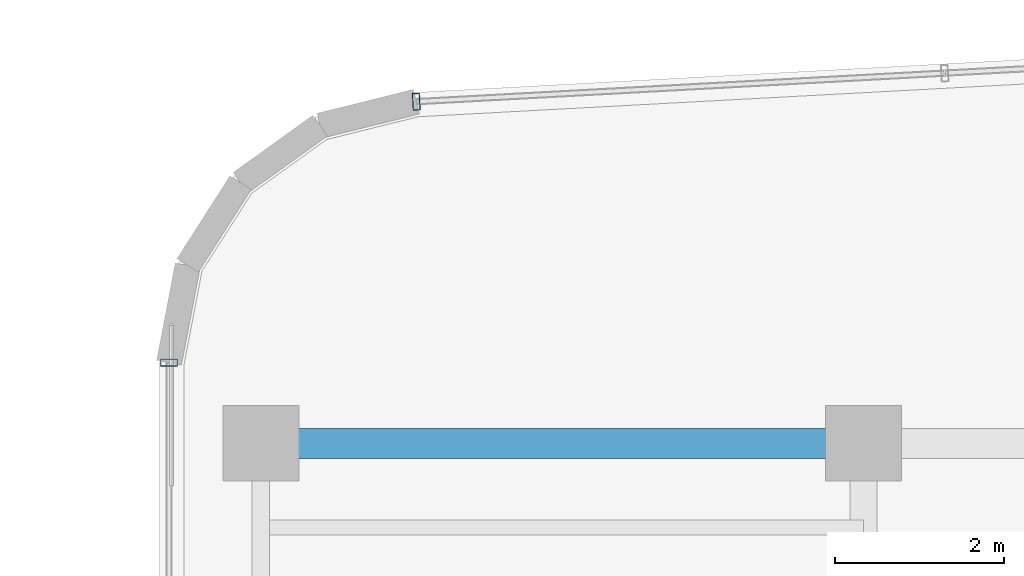
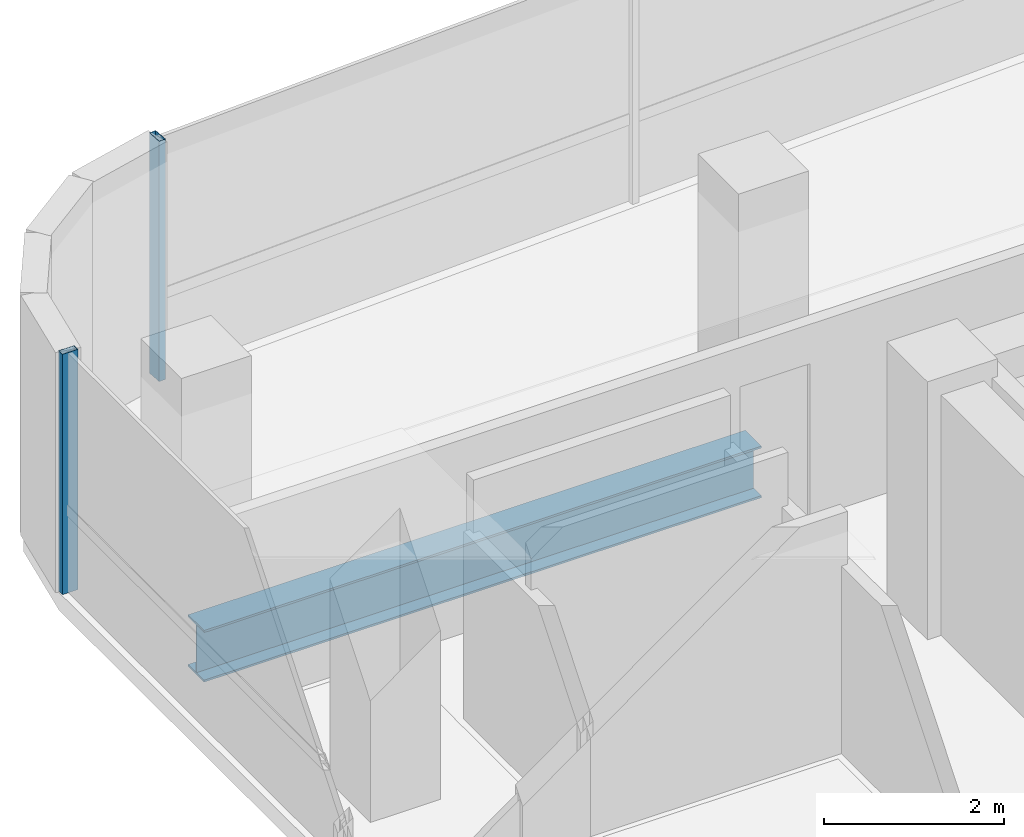
# One storey, part 13 of 22: 2 members, 1 beam, 2 elements without a shape of their own.
"""IFC4 building model written with IfcOpenShell, lengths in metres."""

from ifc_helpers import new_model, si_unit, direction, frame, origin, origin_2d, place, context, subcontext, project, spatial, hollow_rectangle, i_section, extrude, source, transform, mapped, material, material_profile, profile_set, type_object, element, aggregate, save


model = new_model("IFC4")

# Units and contexts
model_context = context("Model", 3, precision=1e-05, world=origin(), true_north=direction((0.0, 1.0)))
body_context = subcontext(model_context, "Body", "Model", "MODEL_VIEW")
ifc_project = project(units=[si_unit("LENGTHUNIT", "METRE"), si_unit("AREAUNIT", "SQUARE_METRE"), si_unit("VOLUMEUNIT", "CUBIC_METRE"), si_unit("PLANEANGLEUNIT", "RADIAN"), si_unit("MASSUNIT", "GRAM", prefix="KILO")], contexts=[model_context])

# Site, building, storey
site_placement = place(None, origin())
site = spatial("IfcSite", under=ifc_project, at=site_placement, CompositionType="ELEMENT")
building_placement = place(site_placement, origin())
building = spatial("IfcBuilding", under=site, at=building_placement, Name="Valdorenza Pilgrim Sanctuary Tower", CompositionType="ELEMENT")
storey_placement = place(building_placement, frame((0.0, 0.0, 233.5)))
storey = spatial("IfcBuildingStorey", under=building, at=storey_placement, Name="L60", CompositionType="ELEMENT", Elevation=233.5)

# Beam
ifc_material_1 = material(Name="Steel ASTM A992 Grade 50", Category="steel")
ifc_material_profile_1 = material_profile(ifc_material_1, i_section(OverallWidth=0.35595703125, OverallDepth=0.700927734375, WebThickness=0.016845703125, FlangeThickness=0.02734375, at=origin_2d()), Name="W27X161")
ifc_profile_set_1 = profile_set([ifc_material_profile_1], Name="Steel ASTM A992 Grade 50")
beam_type = type_object("IfcBeamType", Name="STR-BM-GRD-W27", PredefinedType="BEAM", material=ifc_profile_set_1)
shared_shape_1 = source(origin(), body_context, "Body", "SweptSolid", [
    extrude(i_section(OverallWidth=0.35595703125, OverallDepth=0.700927734375, WebThickness=0.016845703125, FlangeThickness=0.02734375, at=origin_2d()), origin(), (0.0, 0.0, 1.0), 7.150146484375),
])
beam_placement = place(storey_placement, frame((-29.800048828125, 14.800048828125, -0.590576171875), z_axis=(1.0, 0.0, 0.0), x_axis=(0.0, 1.0, 0.0)))
element("IfcBeam", 1, at=beam_placement, inside=storey, type_object=beam_type, Name="L60 Floor Girder WA-XW-N2", PredefinedType="BEAM", context=body_context, shape_type="MappedRepresentation", body=[
    mapped(shared_shape_1, transform((0.0, 0.0, 0.0), x_axis=(1.0, 0.0, 0.0), y_axis=(0.0, 1.0, 0.0), z_axis=(0.0, 0.0, 1.0), scale=1.0)),
])

# Curtain wall, member
ifc_material_2 = material(Name="Curtain-wall IGU glazing", Category="glass")
curtain_wall_type = type_object("IfcCurtainWallType", Name="CW-SYS-02", PredefinedType="NOTDEFINED", material=ifc_material_2)
curtain_wall_1_placement = place(storey_placement, origin())
curtain_wall_1 = element("IfcCurtainWall", 2, at=curtain_wall_1_placement, inside=storey, type_object=curtain_wall_type, Name="L60 Curtain Wall CW-L60-1-1S2", PredefinedType="NOTDEFINED")
ifc_material_3 = material(Name="Anodised aluminium AW-6060", Category="aluminium")
ifc_material_profile_2 = material_profile(ifc_material_3, hollow_rectangle(XDim=0.0849609375, YDim=0.199951171875, WallThickness=0.0048828125, at=origin_2d()), Name="ALU-M 200x85x5")
ifc_profile_set_2 = profile_set([ifc_material_profile_2], Name="Anodised aluminium AW-6060")
member_type = type_object("IfcMemberType", Name="CW-MUL-02", PredefinedType="MULLION", material=ifc_profile_set_2)
shared_shape_2 = source(origin(), body_context, "Body", "SweptSolid", [
    extrude(hollow_rectangle(XDim=0.0849609375, YDim=0.199951171875, WallThickness=0.0048828125, at=origin_2d()), origin(), (0.0, 0.0, 1.0), 3.260009765625),
])
member_1_placement = place(storey_placement, frame((-30.889892578125, 15.757568359375, 0.0), z_axis=(0.0, 0.0, 1.0), x_axis=(0.0, 1.0, 0.0)))
member_1 = element("IfcMember", 3, at=member_1_placement, type_object=member_type, Name="CW-L60-1-1S2 Mullion 4", PredefinedType="MULLION", context=body_context, shape_type="MappedRepresentation", body=[
    mapped(shared_shape_2, transform((0.0, 0.0, 0.0), x_axis=(1.0, 0.0, 0.0), y_axis=(0.0, 1.0, 0.0), z_axis=(0.0, 0.0, 1.0), scale=1.0)),
])
aggregate(curtain_wall_1, [member_1])

curtain_wall_2_placement = place(storey_placement, origin())
curtain_wall_2 = element("IfcCurtainWall", 4, at=curtain_wall_2_placement, inside=storey, type_object=curtain_wall_type, Name="L60 Curtain Wall CW-L60-1-6", PredefinedType="NOTDEFINED")
member_2_placement = place(storey_placement, frame((-27.9560546875, 18.85400390625, 0.0), z_axis=(0.0, 0.0, 1.0), x_axis=(0.998547034311, 0.053887106711, 0.0)))
member_2 = element("IfcMember", 5, at=member_2_placement, type_object=member_type, Name="CW-L60-1-6 Mullion 1", PredefinedType="MULLION", context=body_context, shape_type="MappedRepresentation", body=[
    mapped(shared_shape_2, transform((0.0, 0.0, 0.0), x_axis=(1.0, 0.0, 0.0), y_axis=(0.0, 1.0, 0.0), z_axis=(0.0, 0.0, 1.0), scale=1.0)),
])
aggregate(curtain_wall_2, [member_2])

save(model, "model.ifc")
